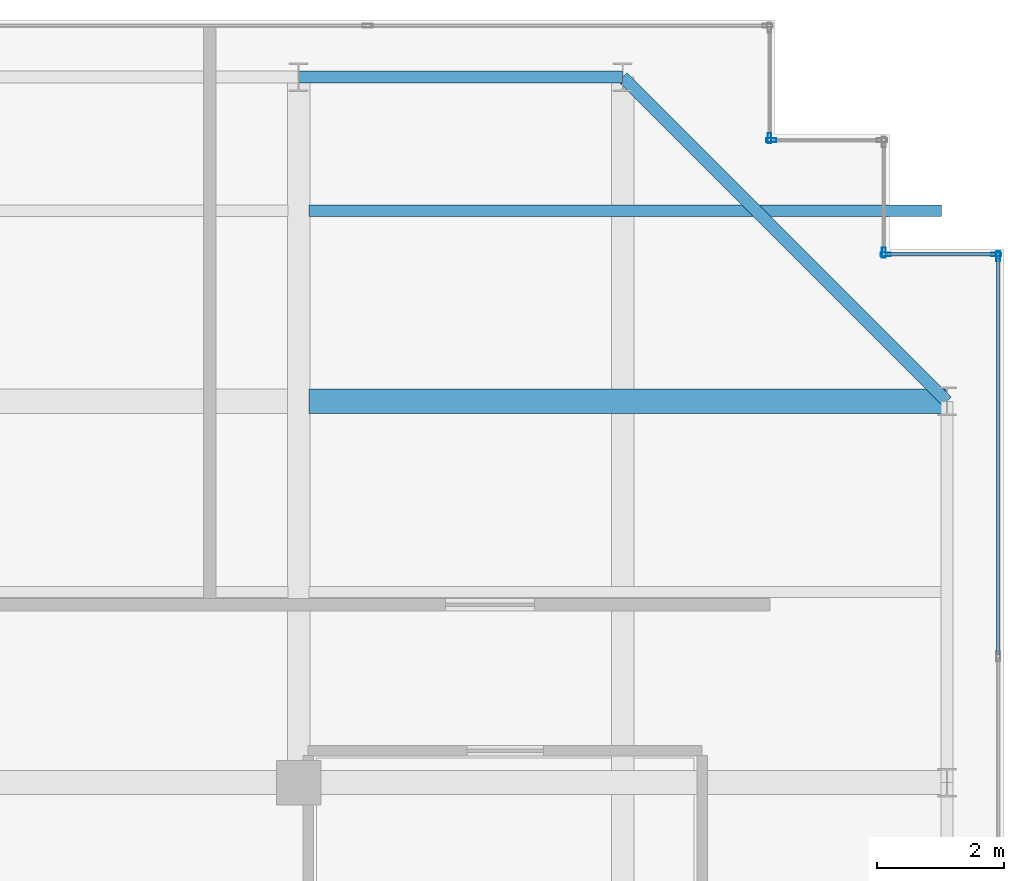
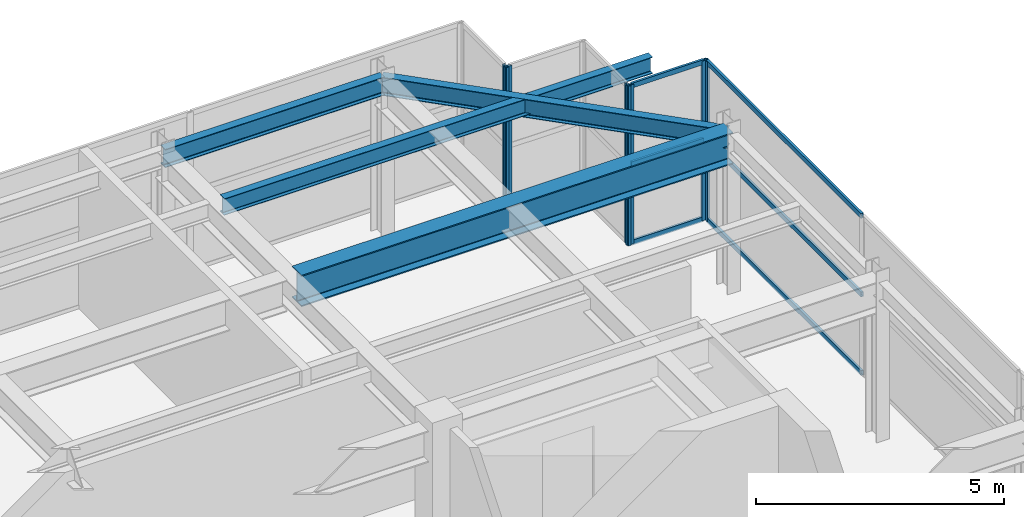
# One storey, part 27 of 32: 12 members, 4 beams, 5 elements without a shape of their own.
"""IFC4 building model written with IfcOpenShell, lengths in metres."""

from ifc_helpers import new_model, si_unit, direction, frame, origin, origin_2d, place, context, subcontext, project, spatial, hollow_rectangle, i_section, extrude, source, transform, mapped, material, layer, layer_set, material_profile, profile_set, type_object, element, aggregate, save


model = new_model("IFC4")

# Units and contexts
model_context = context("Model", 3, precision=1e-05, world=origin(), true_north=direction((0.0, 1.0)))
body_context = subcontext(model_context, "Body", "Model", "MODEL_VIEW")
ifc_project = project(units=[si_unit("LENGTHUNIT", "METRE"), si_unit("AREAUNIT", "SQUARE_METRE"), si_unit("VOLUMEUNIT", "CUBIC_METRE"), si_unit("PLANEANGLEUNIT", "RADIAN"), si_unit("MASSUNIT", "GRAM", prefix="KILO")], contexts=[model_context])

# Site, building, storey
site_placement = place(None, origin())
site = spatial("IfcSite", under=ifc_project, at=site_placement, CompositionType="ELEMENT")
building_placement = place(site_placement, origin())
building = spatial("IfcBuilding", under=site, at=building_placement, Name="Khoralis Quay Care Tower", CompositionType="ELEMENT")
storey_placement = place(building_placement, frame((0.0, 0.0, 297.89990234375)))
storey = spatial("IfcBuildingStorey", under=building, at=storey_placement, Name="L78", CompositionType="ELEMENT", Elevation=297.89990234375)

# Beams
ifc_material_1 = material(Name="Steel S355", Category="steel")
ifc_material_profile_1 = material_profile(ifc_material_1, i_section(OverallWidth=0.18994140625, OverallDepth=0.449951171875, WebThickness=0.009521484375, FlangeThickness=0.0146484375, FilletRadius=0.02099609375, at=origin_2d()), Name="Steel S355")
ifc_profile_set_1 = profile_set([ifc_material_profile_1], Name="Steel S355")
beam_type_1 = type_object("IfcBeamType", Name="BM-IPE450", PredefinedType="SPANDREL", material=ifc_profile_set_1)
shared_shape_1 = source(origin(), body_context, "Body", "SweptSolid", [
    extrude(i_section(OverallWidth=0.18994140625, OverallDepth=0.449951171875, WebThickness=0.009521484375, FlangeThickness=0.0146484375, FilletRadius=0.02099609375, at=origin_2d()), origin(), (0.0, 0.0, 1.0), 5.10009765625),
])
beam_1_placement = place(storey_placement, frame((30.89990234375, 41.10009765625, 3.695068359375), z_axis=(1.0, 0.0, 0.0), x_axis=(0.0, 1.0, 0.0)))
element("IfcBeam", 1, at=beam_1_placement, inside=storey, type_object=beam_type_1, Name="BM-TSP-L78-08", PredefinedType="SPANDREL", context=body_context, shape_type="MappedRepresentation", body=[
    mapped(shared_shape_1, transform((0.0, 0.0, 0.0), scale=1.0)),
])
shared_shape_2 = source(origin(), body_context, "Body", "SweptSolid", [
    extrude(i_section(OverallWidth=0.18994140625, OverallDepth=0.449951171875, WebThickness=0.009521484375, FlangeThickness=0.0146484375, FilletRadius=0.02099609375, at=origin_2d()), origin(), (0.0, 0.0, 1.0), 7.212646484375),
])
beam_2_placement = place(storey_placement, frame((36.0, 41.10009765625, 3.695068359375), z_axis=(0.707106781187, -0.707106781187, 0.0), x_axis=(0.707106781187, 0.707106781187, 0.0)))
element("IfcBeam", 2, at=beam_2_placement, inside=storey, type_object=beam_type_1, Name="BM-TCR-L78-20", PredefinedType="SPANDREL", context=body_context, shape_type="MappedRepresentation", body=[
    mapped(shared_shape_2, transform((0.0, 0.0, 0.0), scale=1.0)),
])
ifc_material_profile_2 = material_profile(ifc_material_1, i_section(OverallWidth=0.381103515625, OverallDepth=0.77294921875, WebThickness=0.0166015625, FlangeThickness=0.027587890625, FilletRadius=0.02197265625, at=origin_2d()), Name="Steel S355")
ifc_profile_set_2 = profile_set([ifc_material_profile_2], Name="Steel S355")
beam_type_2 = type_object("IfcBeamType", Name="BM-W760X257", PredefinedType="BEAM", material=ifc_profile_set_2)
shared_shape_3 = source(origin(), body_context, "Body", "SweptSolid", [
    extrude(i_section(OverallWidth=0.381103515625, OverallDepth=0.77294921875, WebThickness=0.0166015625, FlangeThickness=0.027587890625, FilletRadius=0.02197265625, at=origin_2d()), origin(), (0.0, 0.0, 1.0), 10.03466796875),
])
beam_3_placement = place(storey_placement, frame((31.0654296875, 36.0, 3.53369140625), z_axis=(1.0, 0.0, 0.0), x_axis=(0.0, 1.0, 0.0)))
element("IfcBeam", 3, at=beam_3_placement, inside=storey, type_object=beam_type_2, Name="BM-TGXE-L78-360", PredefinedType="BEAM", context=body_context, shape_type="MappedRepresentation", body=[
    mapped(shared_shape_3, transform((0.0, 0.0, 0.0), scale=1.0)),
])
ifc_material_profile_3 = material_profile(ifc_material_1, i_section(OverallWidth=0.177978515625, OverallDepth=0.406982421875, WebThickness=0.0078125, FlangeThickness=0.0126953125, FilletRadius=0.012939453125, at=origin_2d()), Name="Steel S355")
ifc_profile_set_3 = profile_set([ifc_material_profile_3], Name="Steel S355")
beam_type_3 = type_object("IfcBeamType", Name="BM-W410X60", PredefinedType="JOIST", material=ifc_profile_set_3)
shared_shape_4 = source(origin(), body_context, "Body", "SweptSolid", [
    extrude(i_section(OverallWidth=0.177978515625, OverallDepth=0.406982421875, WebThickness=0.0078125, FlangeThickness=0.0126953125, FilletRadius=0.012939453125, at=origin_2d()), origin(), (0.0, 0.0, 1.0), 9.95361328125),
])
beam_4_placement = place(storey_placement, frame((31.0654296875, 39.0, 3.716552734375), z_axis=(1.0, 0.0, 0.0), x_axis=(0.0, 1.0, 0.0)))
element("IfcBeam", 4, at=beam_4_placement, inside=storey, type_object=beam_type_3, Name="BM-TJS-L78-28", PredefinedType="JOIST", context=body_context, shape_type="MappedRepresentation", body=[
    mapped(shared_shape_4, transform((0.0, 0.0, 0.0), scale=1.0)),
])

# Curtain wall, member
ifc_material_2 = material(Name="Pale anodised aluminium", Category="aluminium")
ifc_layer = layer(ifc_material_2, 0.199951171875)
ifc_layer_set = layer_set([ifc_layer], Name="Pale anodised aluminium")
curtain_wall_type = type_object("IfcCurtainWallType", Name="CW-SYS-LANTERN", PredefinedType="NOTDEFINED", material=ifc_layer_set)
curtain_wall_1_placement = place(storey_placement, origin())
curtain_wall_1 = element("IfcCurtainWall", 5, at=curtain_wall_1_placement, inside=storey, type_object=curtain_wall_type, Name="L78 Unitised Curtain Wall CW-LN-L78-06", PredefinedType="NOTDEFINED")
ifc_material_profile_4 = material_profile(ifc_material_2, hollow_rectangle(XDim=0.06005859375, YDim=0.159912109375, WallThickness=0.00390625, at=origin_2d()), Name="Pale anodised aluminium")
ifc_profile_set_4 = profile_set([ifc_material_profile_4], Name="Pale anodised aluminium")
member_type_1 = type_object("IfcMemberType", Name="CW-MUL-160", PredefinedType="MULLION", material=ifc_profile_set_4)
shared_shape_5 = source(origin(), body_context, "Body", "SweptSolid", [
    extrude(hollow_rectangle(XDim=0.06005859375, YDim=0.159912109375, WallThickness=0.00390625, at=origin_2d()), origin(), (0.0, 0.0, 1.0), 3.920166015625),
])
member_1_placement = place(storey_placement, frame((41.909912109375, 38.280029296875, 0.0), z_axis=(0.0, 0.0, 1.0), x_axis=(-1.0, 0.0, 0.0)))
member_1 = element("IfcMember", 6, at=member_1_placement, type_object=member_type_1, Name="CW5 mullion 6", PredefinedType="MULLION", context=body_context, shape_type="MappedRepresentation", body=[
    mapped(shared_shape_5, transform((0.0, 0.0, 0.0), scale=1.0)),
])

# Curtain wall, members
curtain_wall_2_placement = place(storey_placement, origin())
curtain_wall_2 = element("IfcCurtainWall", 7, at=curtain_wall_2_placement, inside=storey, type_object=curtain_wall_type, Name="L78 Unitised Curtain Wall CW-LN-L78-07", PredefinedType="NOTDEFINED")
member_2_placement = place(storey_placement, frame((41.8798828125, 38.31005859375, 0.0), z_axis=(0.0, 0.0, 1.0), x_axis=(0.0, -1.0, 0.0)))
member_2 = element("IfcMember", 8, at=member_2_placement, type_object=member_type_1, Name="CW5 mullion 1", PredefinedType="MULLION", context=body_context, shape_type="MappedRepresentation", body=[
    mapped(shared_shape_5, transform((0.0, 0.0, 0.0), scale=1.0)),
])
member_3_placement = place(storey_placement, frame((40.139892578125, 38.31005859375, 0.0), z_axis=(0.0, 0.0, 1.0), x_axis=(0.0, -1.0, 0.0)))
member_3 = element("IfcMember", 9, at=member_3_placement, type_object=member_type_1, Name="CW5 mullion 2", PredefinedType="MULLION", context=body_context, shape_type="MappedRepresentation", body=[
    mapped(shared_shape_5, transform((0.0, 0.0, 0.0), scale=1.0)),
])

# Curtain wall, member
curtain_wall_3_placement = place(storey_placement, origin())
curtain_wall_3 = element("IfcCurtainWall", 10, at=curtain_wall_3_placement, inside=storey, type_object=curtain_wall_type, Name="L78 Unitised Curtain Wall CW-LN-L78-08", PredefinedType="NOTDEFINED")
member_4_placement = place(storey_placement, frame((40.110107421875, 38.340087890625, 0.0), z_axis=(0.0, 0.0, 1.0), x_axis=(-1.0, 0.0, 0.0)))
member_4 = element("IfcMember", 11, at=member_4_placement, type_object=member_type_1, Name="CW5 mullion 1", PredefinedType="MULLION", context=body_context, shape_type="MappedRepresentation", body=[
    mapped(shared_shape_5, transform((0.0, 0.0, 0.0), scale=1.0)),
])
aggregate(curtain_wall_3, [member_4])

curtain_wall_4_placement = place(storey_placement, origin())
curtain_wall_4 = element("IfcCurtainWall", 12, at=curtain_wall_4_placement, inside=storey, type_object=curtain_wall_type, Name="L78 Unitised Curtain Wall CW-LN-L78-09", PredefinedType="NOTDEFINED")
member_5_placement = place(storey_placement, frame((38.340087890625, 40.110107421875, 0.0), z_axis=(0.0, 0.0, 1.0), x_axis=(0.0, -1.0, 0.0)))
member_5 = element("IfcMember", 13, at=member_5_placement, type_object=member_type_1, Name="CW5 mullion 2", PredefinedType="MULLION", context=body_context, shape_type="MappedRepresentation", body=[
    mapped(shared_shape_5, transform((0.0, 0.0, 0.0), scale=1.0)),
])
aggregate(curtain_wall_4, [member_5])

curtain_wall_5_placement = place(storey_placement, origin())
curtain_wall_5 = element("IfcCurtainWall", 14, at=curtain_wall_5_placement, inside=storey, type_object=curtain_wall_type, Name="L78 Unitised Curtain Wall CW-LN-L78-10", PredefinedType="NOTDEFINED")
member_6_placement = place(storey_placement, frame((38.31005859375, 40.139892578125, 0.0), z_axis=(0.0, 0.0, 1.0), x_axis=(-1.0, 0.0, 0.0)))
member_6 = element("IfcMember", 15, at=member_6_placement, type_object=member_type_1, Name="CW5 mullion 1", PredefinedType="MULLION", context=body_context, shape_type="MappedRepresentation", body=[
    mapped(shared_shape_5, transform((0.0, 0.0, 0.0), scale=1.0)),
])
aggregate(curtain_wall_5, [member_6])

# Member
ifc_material_profile_5 = material_profile(ifc_material_2, hollow_rectangle(XDim=0.054931640625, YDim=0.1201171875, WallThickness=0.00390625, at=origin_2d()), Name="Pale anodised aluminium")
ifc_profile_set_5 = profile_set([ifc_material_profile_5], Name="Pale anodised aluminium")
member_type_2 = type_object("IfcMemberType", Name="CW-TRN-120", PredefinedType="USERDEFINED", material=ifc_profile_set_5)
shared_shape_6 = source(origin(), body_context, "Body", "SweptSolid", [
    extrude(hollow_rectangle(XDim=0.054931640625, YDim=0.1201171875, WallThickness=0.00390625, at=origin_2d()), origin(), (0.0, 0.0, 1.0), 6.23388671875),
])
member_7_placement = place(storey_placement, frame((41.909912109375, 32.01611328125, 0.030029296875), z_axis=(0.0, 1.0, 0.0), x_axis=(-1.0, 0.0, 0.0)))
member_7 = element("IfcMember", 16, at=member_7_placement, type_object=member_type_2, Name="CW5 transom 5.1", ObjectType="TRANSOM", PredefinedType="USERDEFINED", context=body_context, shape_type="MappedRepresentation", body=[
    mapped(shared_shape_6, transform((0.0, 0.0, 0.0), scale=1.0)),
])

member_8_placement = place(storey_placement, frame((41.909912109375, 32.01611328125, 1.960205078125), z_axis=(0.0, 1.0, 0.0), x_axis=(-1.0, 0.0, 0.0)))
member_8 = element("IfcMember", 17, at=member_8_placement, type_object=member_type_2, Name="CW5 transom 5.2", ObjectType="TRANSOM", PredefinedType="USERDEFINED", context=body_context, shape_type="MappedRepresentation", body=[
    mapped(shared_shape_6, transform((0.0, 0.0, 0.0), scale=1.0)),
])

member_9_placement = place(storey_placement, frame((41.909912109375, 32.01611328125, 3.89013671875), z_axis=(0.0, 1.0, 0.0), x_axis=(-1.0, 0.0, 0.0)))
member_9 = element("IfcMember", 18, at=member_9_placement, type_object=member_type_2, Name="CW5 transom 5.3", ObjectType="TRANSOM", PredefinedType="USERDEFINED", context=body_context, shape_type="MappedRepresentation", body=[
    mapped(shared_shape_6, transform((0.0, 0.0, 0.0), scale=1.0)),
])

aggregate(curtain_wall_1, [member_1, member_7, member_8, member_9])

shared_shape_7 = source(origin(), body_context, "Body", "SweptSolid", [
    extrude(hollow_rectangle(XDim=0.054931640625, YDim=0.1201171875, WallThickness=0.00390625, at=origin_2d()), origin(), (0.0, 0.0, 1.0), 1.68017578125),
])
member_10_placement = place(storey_placement, frame((41.85009765625, 38.31005859375, 0.030029296875), z_axis=(-1.0, 0.0, 0.0), x_axis=(0.0, -1.0, 0.0)))
member_10 = element("IfcMember", 19, at=member_10_placement, type_object=member_type_2, Name="CW5 transom 1.1", ObjectType="TRANSOM", PredefinedType="USERDEFINED", context=body_context, shape_type="MappedRepresentation", body=[
    mapped(shared_shape_7, transform((0.0, 0.0, 0.0), scale=1.0)),
])

member_11_placement = place(storey_placement, frame((41.85009765625, 38.31005859375, 1.960205078125), z_axis=(-1.0, 0.0, 0.0), x_axis=(0.0, -1.0, 0.0)))
member_11 = element("IfcMember", 20, at=member_11_placement, type_object=member_type_2, Name="CW5 transom 1.2", ObjectType="TRANSOM", PredefinedType="USERDEFINED", context=body_context, shape_type="MappedRepresentation", body=[
    mapped(shared_shape_7, transform((0.0, 0.0, 0.0), scale=1.0)),
])

member_12_placement = place(storey_placement, frame((41.85009765625, 38.31005859375, 3.89013671875), z_axis=(-1.0, 0.0, 0.0), x_axis=(0.0, -1.0, 0.0)))
member_12 = element("IfcMember", 21, at=member_12_placement, type_object=member_type_2, Name="CW5 transom 1.3", ObjectType="TRANSOM", PredefinedType="USERDEFINED", context=body_context, shape_type="MappedRepresentation", body=[
    mapped(shared_shape_7, transform((0.0, 0.0, 0.0), scale=1.0)),
])

aggregate(curtain_wall_2, [member_2, member_3, member_10, member_11, member_12])

save(model, "model.ifc")
